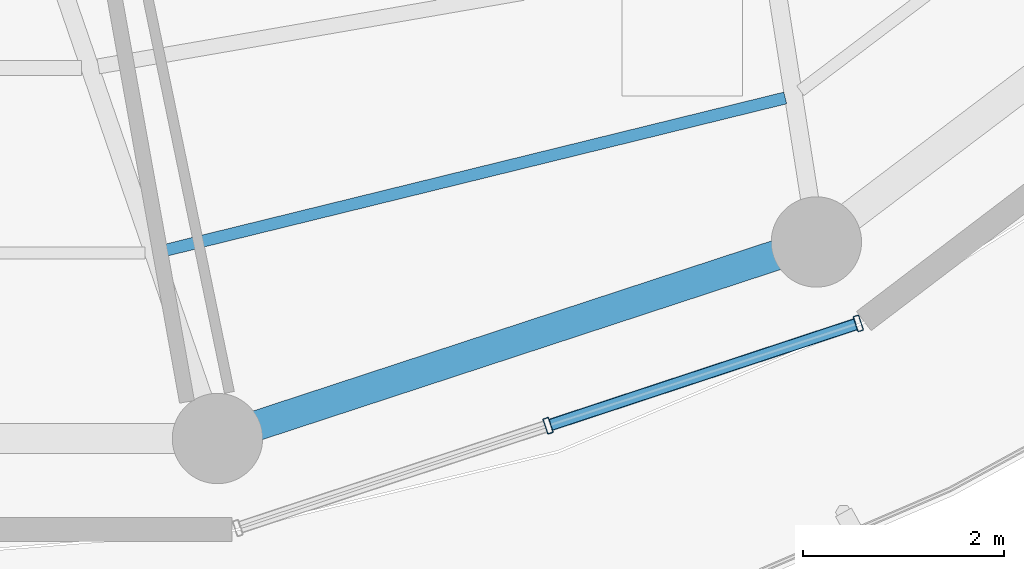
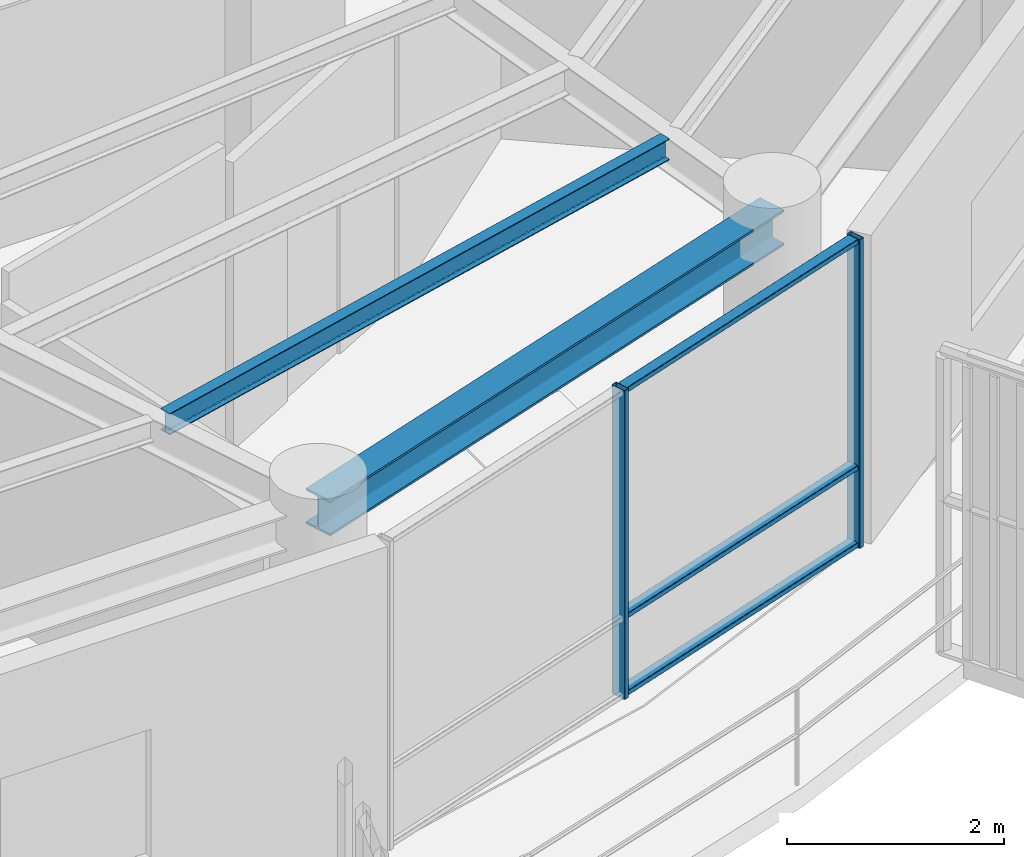
# One storey, part 4 of 24: 5 members, 2 beams, 1 element without a shape of its own.
"""IFC4 building model written with IfcOpenShell, lengths in metres."""

from ifc_helpers import new_model, si_unit, direction, frame, origin, origin_2d, place, context, subcontext, project, spatial, hollow_rectangle, i_section, extrude, material, layer, layer_set, material_profile, profile_set, type_object, element, aggregate, save


model = new_model("IFC4")

# Units and contexts
model_context = context("Model", 3, precision=1e-05, world=origin(), true_north=direction((0.0, 1.0)))
body_context = subcontext(model_context, "Body", "Model", "MODEL_VIEW")
ifc_project = project(units=[si_unit("LENGTHUNIT", "METRE"), si_unit("AREAUNIT", "SQUARE_METRE"), si_unit("VOLUMEUNIT", "CUBIC_METRE"), si_unit("PLANEANGLEUNIT", "RADIAN"), si_unit("MASSUNIT", "GRAM", prefix="KILO")], contexts=[model_context])

# Site, building, storey
site_placement = place(None, origin())
site = spatial("IfcSite", under=ifc_project, at=site_placement, CompositionType="ELEMENT")
building_placement = place(site_placement, origin())
building = spatial("IfcBuilding", under=site, at=building_placement, Name="Kelanora Arch Commons", CompositionType="ELEMENT")
storey_placement = place(building_placement, frame((0.0, 0.0, 248.699951171875)))
storey = spatial("IfcBuildingStorey", under=building, at=storey_placement, Name="L63", CompositionType="ELEMENT", Elevation=248.699951171875)

# Beams
ifc_material_1 = material(Name="Steel S355", Category="steel")
ifc_material_profile_1 = material_profile(ifc_material_1, i_section(OverallWidth=0.1201171875, OverallDepth=0.239990234375, WebThickness=0.006103515625, FlangeThickness=0.009765625, FilletRadius=0.014892578125, at=origin_2d()), Name="IPE240")
ifc_profile_set_1 = profile_set([ifc_material_profile_1], Name="Steel S355")
beam_type_1 = type_object("IfcBeamType", Name="BM-JST-02", PredefinedType="JOIST", material=ifc_profile_set_1)
beam_1_placement = place(storey_placement, frame((76.6220703125, 43.63671875, 3.3701171875), z_axis=(0.971109719488, 0.23863342749, 0.0), x_axis=(-0.23863342749, 0.971109719488, 0.0)))
element("IfcBeam", 1, at=beam_1_placement, inside=storey, type_object=beam_type_1, Name="Secondary Chord Joist BJC-28 L63", PredefinedType="JOIST", context=body_context, shape_type="SweptSolid", body=[
    extrude(i_section(OverallWidth=0.1201171875, OverallDepth=0.239990234375, WebThickness=0.006103515625, FlangeThickness=0.009765625, FilletRadius=0.014892578125, at=origin_2d()), origin(), (0.0, 0.0, 1.0), 6.39208984375),
])
ifc_material_profile_2 = material_profile(ifc_material_1, i_section(OverallWidth=0.300048828125, OverallDepth=0.39990234375, WebThickness=0.013427734375, FlangeThickness=0.02392578125, FilletRadius=0.027099609375, at=origin_2d()), Name="HEB400")
ifc_profile_set_2 = profile_set([ifc_material_profile_2], Name="Steel S355")
beam_type_2 = type_object("IfcBeamType", Name="BM-SPN-Z4", PredefinedType="SPANDREL", material=ifc_profile_set_2)
beam_2_placement = place(storey_placement, frame((77.17431640625, 41.7705078125, 3.2900390625), z_axis=(0.950165923039, 0.311744636996, 0.0), x_axis=(-0.311744636996, 0.950165923039, 0.0)))
element("IfcBeam", 2, at=beam_2_placement, inside=storey, type_object=beam_type_2, Name="Perimeter Spandrel Beam BS-28 L63", PredefinedType="SPANDREL", context=body_context, shape_type="SweptSolid", body=[
    extrude(i_section(OverallWidth=0.300048828125, OverallDepth=0.39990234375, WebThickness=0.013427734375, FlangeThickness=0.02392578125, FilletRadius=0.027099609375, at=origin_2d()), origin(), (0.0, 0.0, 1.0), 6.278564453125),
])

# Curtain wall, members
ifc_material_2 = material(Name="Terracotta ceramic-fritted low-E glass and aluminium", Category="masonry")
ifc_layer = layer(ifc_material_2, 0.18994140625)
ifc_layer_set = layer_set([ifc_layer], Name="Terracotta ceramic-fritted low-E glass and aluminium")
curtain_wall_type = type_object("IfcCurtainWallType", Name="CW-SYS-03", PredefinedType="NOTDEFINED", material=ifc_layer_set)
curtain_wall_placement = place(storey_placement, origin())
curtain_wall = element("IfcCurtainWall", 3, at=curtain_wall_placement, inside=storey, type_object=curtain_wall_type, Name="Unitised Curtain Wall L63-B14", PredefinedType="NOTDEFINED")
ifc_material_3 = material(Name="Powder-coated aluminium terracotta", Category="masonry")
ifc_material_profile_3 = material_profile(ifc_material_3, hollow_rectangle(XDim=0.159912109375, YDim=0.06005859375, WallThickness=0.0048828125, InnerFilletRadius=0.0048828125, OuterFilletRadius=0.010009765625, at=origin_2d()), Name="CWM160x60")
ifc_profile_set_3 = profile_set([ifc_material_profile_3], Name="Powder-coated aluminium terracotta")
member_type_1 = type_object("IfcMemberType", Name="CWM-STD", PredefinedType="MULLION", material=ifc_profile_set_3)
member_1_placement = place(storey_placement, frame((80.467041015625, 41.897705078125, 0.0), z_axis=(0.0, 0.0, 1.0), x_axis=(-0.313252785344, 0.949669780752, 0.0)))
member_1 = element("IfcMember", 4, at=member_1_placement, type_object=member_type_1, Name="CW-03 mullion 2", PredefinedType="MULLION", context=body_context, shape_type="SweptSolid", body=[
    extrude(hollow_rectangle(XDim=0.159912109375, YDim=0.06005859375, WallThickness=0.0048828125, InnerFilletRadius=0.0048828125, OuterFilletRadius=0.010009765625, at=origin_2d()), origin(), (0.0, 0.0, 1.0), 3.47509765625),
])
member_2_placement = place(storey_placement, frame((83.557373046875, 42.9169921875, 0.0), z_axis=(0.0, 0.0, 1.0), x_axis=(-0.313252785344, 0.949669780752, 0.0)))
member_2 = element("IfcMember", 5, at=member_2_placement, type_object=member_type_1, Name="CW-03 mullion 3", PredefinedType="MULLION", context=body_context, shape_type="SweptSolid", body=[
    extrude(hollow_rectangle(XDim=0.159912109375, YDim=0.06005859375, WallThickness=0.0048828125, InnerFilletRadius=0.0048828125, OuterFilletRadius=0.010009765625, at=origin_2d()), origin(), (0.0, 0.0, 1.0), 3.47509765625),
])
ifc_material_profile_4 = material_profile(ifc_material_3, hollow_rectangle(XDim=0.1201171875, YDim=0.06005859375, WallThickness=0.0048828125, InnerFilletRadius=0.0048828125, OuterFilletRadius=0.010009765625, at=origin_2d()), Name="CWT120x60")
ifc_profile_set_4 = profile_set([ifc_material_profile_4], Name="Powder-coated aluminium terracotta")
member_type_2 = type_object("IfcMemberType", Name="CWT-STD", PredefinedType="USERDEFINED", material=ifc_profile_set_4)
member_3_placement = place(storey_placement, frame((80.49560546875, 41.9072265625, 0.030029296875), z_axis=(0.949672315102, 0.313245102003, 0.0), x_axis=(-0.313245102003, 0.949672315102, 0.0)))
member_3 = element("IfcMember", 6, at=member_3_placement, type_object=member_type_2, Name="CW-03 transom 2.1", ObjectType="TRANSOM", PredefinedType="USERDEFINED", context=body_context, shape_type="SweptSolid", body=[
    extrude(hollow_rectangle(XDim=0.1201171875, YDim=0.06005859375, WallThickness=0.0048828125, InnerFilletRadius=0.0048828125, OuterFilletRadius=0.010009765625, at=origin_2d()), origin(), (0.0, 0.0, 1.0), 3.19384765625),
])
member_4_placement = place(storey_placement, frame((80.49560546875, 41.9072265625, 0.900146484375), z_axis=(0.949672315102, 0.313245102003, 0.0), x_axis=(-0.313245102003, 0.949672315102, 0.0)))
member_4 = element("IfcMember", 7, at=member_4_placement, type_object=member_type_2, Name="CW-03 transom 2.2", ObjectType="TRANSOM", PredefinedType="USERDEFINED", context=body_context, shape_type="SweptSolid", body=[
    extrude(hollow_rectangle(XDim=0.1201171875, YDim=0.06005859375, WallThickness=0.0048828125, InnerFilletRadius=0.0048828125, OuterFilletRadius=0.010009765625, at=origin_2d()), origin(), (0.0, 0.0, 1.0), 3.19384765625),
])
member_5_placement = place(storey_placement, frame((80.49560546875, 41.9072265625, 3.445068359375), z_axis=(0.949672315102, 0.313245102003, 0.0), x_axis=(-0.313245102003, 0.949672315102, 0.0)))
member_5 = element("IfcMember", 8, at=member_5_placement, type_object=member_type_2, Name="CW-03 transom 2.3", ObjectType="TRANSOM", PredefinedType="USERDEFINED", context=body_context, shape_type="SweptSolid", body=[
    extrude(hollow_rectangle(XDim=0.1201171875, YDim=0.06005859375, WallThickness=0.0048828125, InnerFilletRadius=0.0048828125, OuterFilletRadius=0.010009765625, at=origin_2d()), origin(), (0.0, 0.0, 1.0), 3.19384765625),
])
aggregate(curtain_wall, [member_1, member_2, member_3, member_4, member_5])

save(model, "model.ifc")
